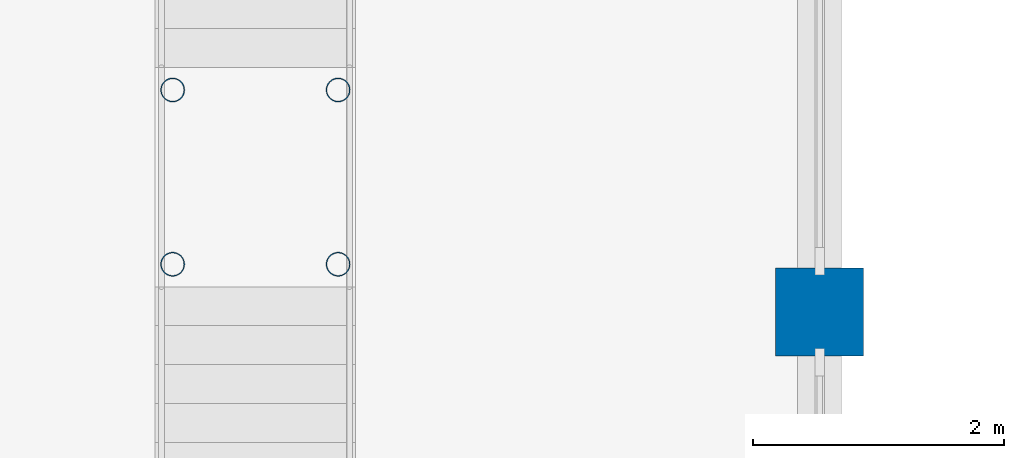
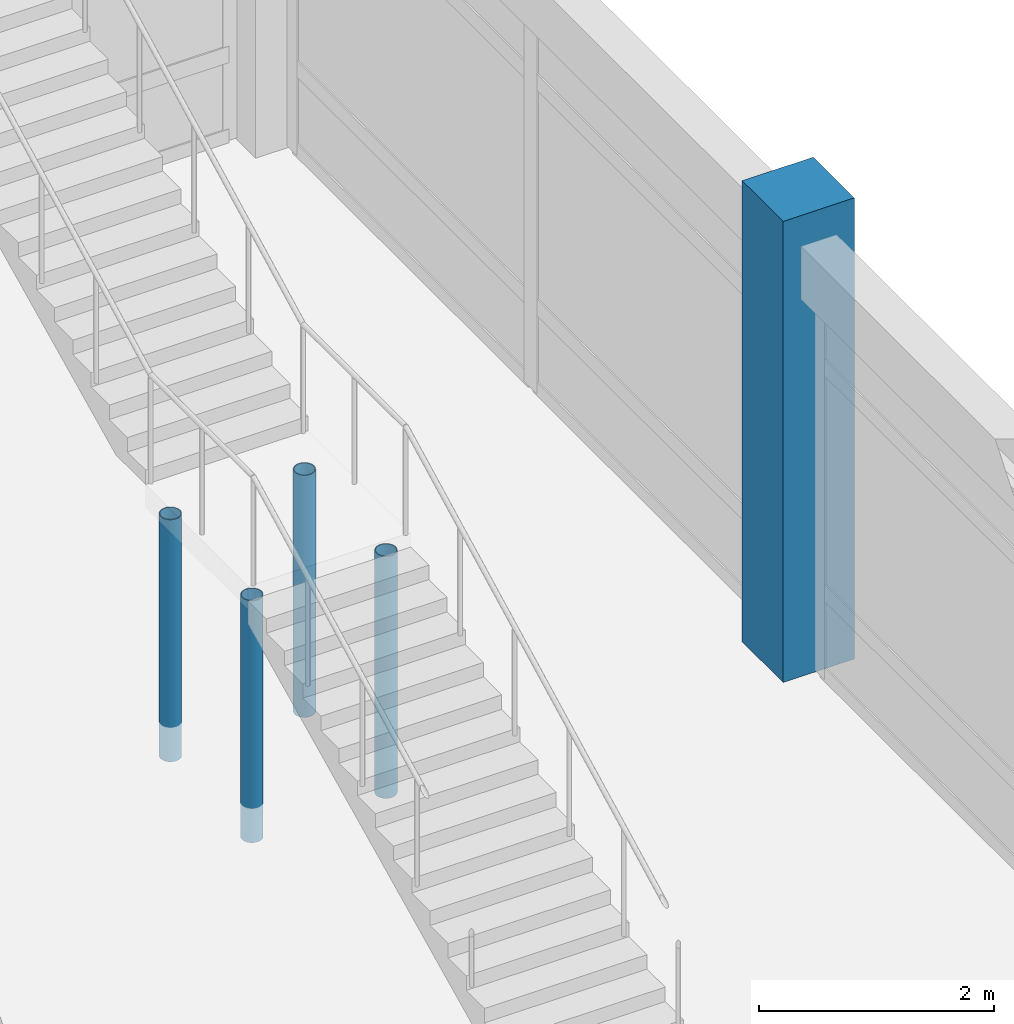
# One storey, part 2 of 61: 5 columns.
"""IFC4 building model written with IfcOpenShell, lengths in metres."""

from ifc_helpers import new_model, si_unit, direction, frame, origin, origin_2d, place, context, subcontext, project, spatial, rectangle, hollow_circle, extrude, material, material_profile, profile_set, type_object, element, save


model = new_model("IFC4")

# Units and contexts
model_context = context("Model", 3, precision=1e-05, world=origin(), true_north=direction((0.0, 1.0)))
body_context = subcontext(model_context, "Body", "Model", "MODEL_VIEW")
ifc_project = project(units=[si_unit("LENGTHUNIT", "METRE"), si_unit("AREAUNIT", "SQUARE_METRE"), si_unit("VOLUMEUNIT", "CUBIC_METRE"), si_unit("PLANEANGLEUNIT", "RADIAN"), si_unit("MASSUNIT", "GRAM", prefix="KILO")], contexts=[model_context])

# Site, building, storey
site_placement = place(None, origin())
site = spatial("IfcSite", under=ifc_project, at=site_placement, CompositionType="ELEMENT")
building_placement = place(site_placement, origin())
building = spatial("IfcBuilding", under=site, at=building_placement, Name="Bozkorgan Art Gallery", CompositionType="ELEMENT")
storey_placement = place(building_placement, frame((0.0, 0.0, 10.199951171875)))
storey = spatial("IfcBuildingStorey", under=building, at=storey_placement, Name="L02", CompositionType="ELEMENT", Elevation=10.199951171875)

# Columns
ifc_material_1 = material(Name="Steel S355J2", Category="steel")
ifc_material_profile_1 = material_profile(ifc_material_1, hollow_circle(Radius=0.096923828125, WallThickness=0.008056640625, at=origin_2d()), Name="CHS 193.7x8")
ifc_profile_set_1 = profile_set([ifc_material_profile_1], Name="Steel S355J2")
column_type_1 = type_object("IfcColumnType", Name="COL-FST-SUP", PredefinedType="COLUMN", material=ifc_profile_set_1)
for number, where, z_axis, x_axis, name in (
    (1, (59.840087890625, 11.3798828125, -0.35986328125), (0.0, 0.0, 1.0), (1.0, 0.0, 0.0), "ST8 intermediate landing post 1"),
    (2, (61.159912109375, 11.3798828125, -0.35986328125), (0.0, 0.0, 1.0), (1.0, 0.0, 0.0), "ST8 intermediate landing post 2"),
    (3, (59.840087890625, 12.77001953125, -0.35986328125), (0.0, 0.0, 1.0), (1.0, 0.0, 0.0), "ST8 intermediate landing post 3"),
    (4, (61.159912109375, 12.77001953125, -0.35986328125), (0.0, 0.0, 1.0), (1.0, 0.0, 0.0), "ST8 intermediate landing post 4"),
):
    element("IfcColumn", number, at=place(storey_placement, frame(where, z_axis=z_axis, x_axis=x_axis)), inside=storey, type_object=column_type_1, Name=name, PredefinedType="COLUMN", context=body_context, shape_type="SweptSolid", body=[
        extrude(hollow_circle(Radius=0.096923828125, WallThickness=0.008056640625, at=origin_2d()), origin(), (0.0, 0.0, 1.0), 2.52001953125),
    ])
ifc_material_2 = material(Name="Concrete C40/50", Category="concrete")
ifc_material_profile_2 = material_profile(ifc_material_2, rectangle(XDim=0.699951171875, YDim=0.699951171875, at=origin_2d()), Name="RC 700x700")
ifc_profile_set_2 = profile_set([ifc_material_profile_2], Name="Concrete C40/50")
column_type_2 = type_object("IfcColumnType", Name="COLUMN-C-73", PredefinedType="COLUMN", material=ifc_profile_set_2)
column_placement = place(storey_placement, frame((65.0, 11.0, 0.0), z_axis=(0.0, 0.0, 1.0), x_axis=(1.0, 0.0, 0.0)))
element("IfcColumn", 5, at=column_placement, inside=storey, type_object=column_type_2, Name="V1 L02 column (65.0, 11.0)", PredefinedType="COLUMN", context=body_context, shape_type="SweptSolid", body=[
    extrude(rectangle(XDim=0.699951171875, YDim=0.699951171875, at=origin_2d()), origin(), (0.0, 0.0, 1.0), 4.800048828125),
])

save(model, "model.ifc")
